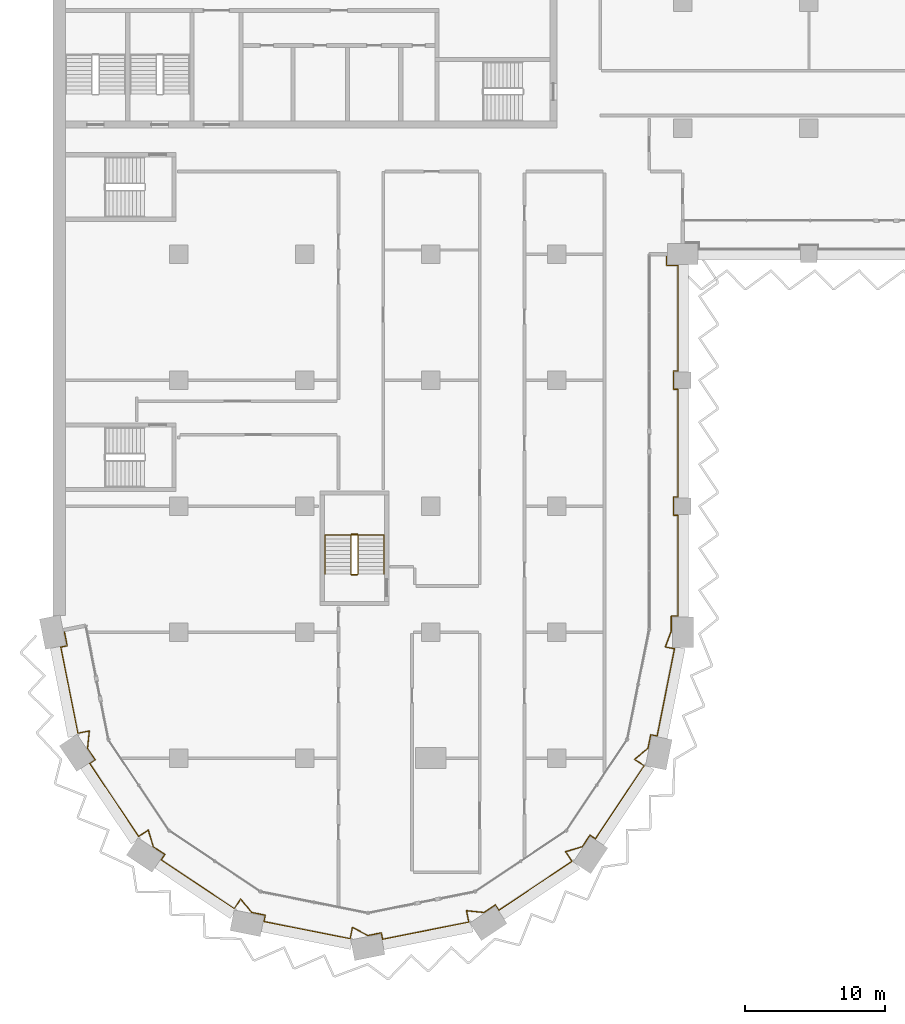
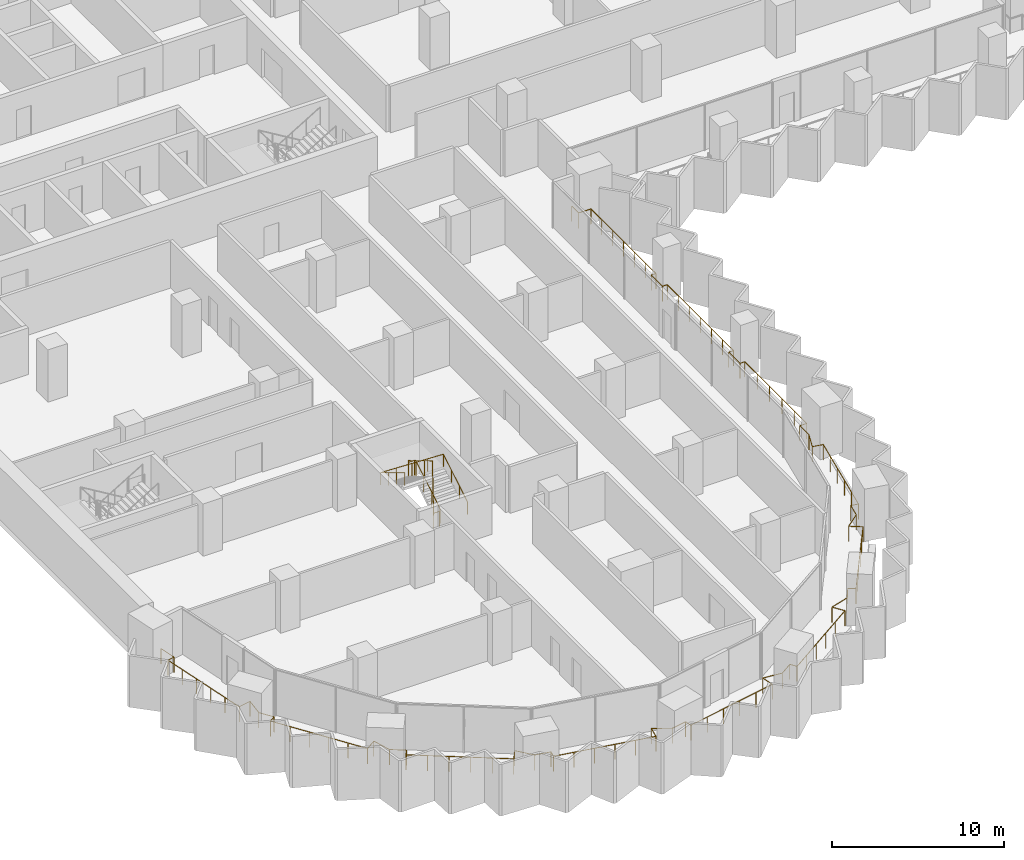
# One storey, part 20 of 23: 3 railings.
"""IFC4 building model written with IfcOpenShell, lengths in metres."""

from ifc_helpers import new_model, si_unit, direction, frame, origin, origin_2d, place, context, subcontext, project, spatial, circle, extrude, material, type_object, element, save


model = new_model("IFC4")

# Units and contexts
model_context = context("Model", 3, precision=1e-05, world=origin(), true_north=direction((0.0, 1.0)))
body_context = subcontext(model_context, "Body", "Model", "MODEL_VIEW")
ifc_project = project(units=[si_unit("LENGTHUNIT", "METRE"), si_unit("AREAUNIT", "SQUARE_METRE"), si_unit("VOLUMEUNIT", "CUBIC_METRE"), si_unit("PLANEANGLEUNIT", "RADIAN"), si_unit("MASSUNIT", "GRAM", prefix="KILO")], contexts=[model_context])

# Site, building, storey
site_placement = place(None, origin())
site = spatial("IfcSite", under=ifc_project, at=site_placement, CompositionType="ELEMENT")
building_placement = place(site_placement, origin())
building = spatial("IfcBuilding", under=site, at=building_placement, Name="Hunhe Ridgeline Campus", CompositionType="ELEMENT")
storey_placement = place(building_placement, frame((0.0, 0.0, 121.800048828125)))
storey = spatial("IfcBuildingStorey", under=building, at=storey_placement, Name="L30", CompositionType="ELEMENT", Elevation=121.800048828125)

# Railings
ifc_material_1 = material(Name="Steel Q355", Category="steel")
railing_type_1 = type_object("IfcRailingType", Name="Loggia guard 1100 Steel Q355", PredefinedType="GUARDRAIL", material=ifc_material_1)
railing_1_placement = place(storey_placement, frame((0.80419921875, 27.159912109375, 0.0)))
element("IfcRailing", 1, at=railing_1_placement, inside=storey, type_object=railing_type_1, Name="Loggia guard 1", PredefinedType="GUARDRAIL", context=body_context, shape_type="SweptSolid", body=[
    extrude(circle(Radius=0.02392578125, at=origin_2d()), frame((0.0, 0.0, 1.076171875), z_axis=(0.195095399255, -0.980784270464, 0.0), x_axis=(0.980784270464, 0.195095399255, 0.0)), (0.0, 0.0, 1.0), 1.150146484375),
    extrude(circle(Radius=0.02392578125, at=origin_2d()), frame((0.224365234375, -1.1279296875, 1.076171875), z_axis=(-0.980839571814, -0.194817181902, 0.0), x_axis=(0.194817181902, -0.980839571814, 0.0)), (0.0, 0.0, 1.0), 0.469970703125),
    extrude(circle(Radius=0.02392578125, at=origin_2d()), frame((-0.236572265625, -1.219482421875, 1.076171875), z_axis=(0.195091122585, -0.98078512116, 0.0), x_axis=(0.98078512116, 0.195091122585, 0.0)), (0.0, 0.0, 1.0), 6.27587890625),
    extrude(circle(Radius=0.02392578125, at=origin_2d()), frame((0.98779296875, -7.374755859375, 1.076171875), z_axis=(0.980805242724, 0.194989937807, 0.0), x_axis=(-0.194989937807, 0.980805242724, 0.0)), (0.0, 0.0, 1.0), 0.833984375),
    extrude(circle(Radius=0.02392578125, at=origin_2d()), frame((1.8056640625, -7.212158203125, 1.076171875), z_axis=(-0.10024174874, -0.994963110778, 0.0), x_axis=(0.994963110778, -0.10024174874, 0.0)), (0.0, 0.0, 1.0), 1.24462890625),
    extrude(circle(Radius=0.02392578125, at=origin_2d()), frame((1.680908203125, -8.450439453125, 1.076171875), z_axis=(0.555613261421, -0.831440860034, 0.0), x_axis=(0.831440860034, 0.555613261421, 0.0)), (0.0, 0.0, 1.0), 0.98681640625),
    extrude(circle(Radius=0.02392578125, at=origin_2d()), frame((2.229248046875, -9.27099609375, 1.076171875), z_axis=(-0.831650496226, -0.55529942565, 0.0), x_axis=(0.55529942565, -0.831650496226, 0.0)), (0.0, 0.0, 1.0), 0.469970703125),
    extrude(circle(Radius=0.02392578125, at=origin_2d()), frame((1.83837890625, -9.531982421875, 1.076171875), z_axis=(0.55555274607, -0.831481296443, 0.0), x_axis=(0.831481296443, 0.55555274607, 0.0)), (0.0, 0.0, 1.0), 6.27587890625),
    extrude(circle(Radius=0.02392578125, at=origin_2d()), frame((5.324951171875, -14.750244140625, 1.076171875), z_axis=(0.831419211319, 0.555645656016, 0.0), x_axis=(-0.555645656016, 0.831419211319, 0.0)), (0.0, 0.0, 1.0), 0.833984375),
    extrude(circle(Radius=0.02392578125, at=origin_2d()), frame((6.018310546875, -14.286865234375, 1.076171875), z_axis=(0.288373576958, -0.957517979002, 0.0), x_axis=(0.957517979002, 0.288373576958, 0.0)), (0.0, 0.0, 1.0), 1.24462890625),
    extrude(circle(Radius=0.02392578125, at=origin_2d()), frame((6.377197265625, -15.478515625, 1.076171875), z_axis=(0.831440860034, -0.555613261421, 0.0), x_axis=(0.555613261421, 0.831440860034, 0.0)), (0.0, 0.0, 1.0), 0.98681640625),
    extrude(circle(Radius=0.02392578125, at=origin_2d()), frame((7.19775390625, -16.02685546875, 1.076171875), z_axis=(-0.555658548717, -0.831410594856, 0.0), x_axis=(0.831410594856, -0.555658548717, 0.0)), (0.0, 0.0, 1.0), 0.47021484375),
    extrude(circle(Radius=0.02392578125, at=origin_2d()), frame((6.9365234375, -16.417724609375, 1.076171875), z_axis=(0.831469289337, -0.555570716372, 0.0), x_axis=(0.555570716372, 0.831469289337, 0.0)), (0.0, 0.0, 1.0), 6.275634765625),
    extrude(circle(Radius=0.02392578125, at=origin_2d()), frame((12.154541015625, -19.904296875, 1.076171875), z_axis=(0.555645656016, 0.831419211319, 0.0), x_axis=(-0.831419211319, 0.555645656016, 0.0)), (0.0, 0.0, 1.0), 0.833984375),
    extrude(circle(Radius=0.02392578125, at=origin_2d()), frame((12.617919921875, -19.2109375, 1.076171875), z_axis=(0.632628709191, -0.774455238414, 0.0), x_axis=(0.774455238414, 0.632628709191, 0.0)), (0.0, 0.0, 1.0), 1.24462890625),
    extrude(circle(Radius=0.02392578125, at=origin_2d()), frame((13.4052734375, -20.1748046875, 1.076171875), z_axis=(0.980770488785, -0.195164669773, 0.0), x_axis=(0.195164669773, 0.980770488785, 0.0)), (0.0, 0.0, 1.0), 0.987060546875),
    extrude(circle(Radius=0.02392578125, at=origin_2d()), frame((14.373291015625, -20.367431640625, 1.076171875), z_axis=(-0.195316901017, -0.980740183829, 0.0), x_axis=(0.980740183829, -0.195316901017, 0.0)), (0.0, 0.0, 1.0), 0.469970703125),
    extrude(circle(Radius=0.02392578125, at=origin_2d()), frame((14.281494140625, -20.828369140625, 1.076171875), z_axis=(0.98078512116, -0.195091122585, 0.0), x_axis=(0.195091122585, 0.98078512116, 0.0)), (0.0, 0.0, 1.0), 6.27587890625),
    extrude(circle(Radius=0.02392578125, at=origin_2d()), frame((20.436767578125, -22.052734375, 1.076171875), z_axis=(0.194989937807, 0.980805242724, 0.0), x_axis=(-0.980805242724, 0.194989937807, 0.0)), (0.0, 0.0, 1.0), 0.833984375),
    extrude(circle(Radius=0.02392578125, at=origin_2d()), frame((20.599365234375, -21.23486328125, 1.076171875), z_axis=(0.880980801229, -0.473152013486, 0.0), x_axis=(0.473152013486, 0.880980801229, 0.0)), (0.0, 0.0, 1.0), 1.24462890625),
    extrude(circle(Radius=0.02392578125, at=origin_2d()), frame((21.69580078125, -21.82373046875, 1.076171875), z_axis=(0.98081780924, 0.194926717196, 0.0), x_axis=(-0.194926717196, 0.98081780924, 0.0)), (0.0, 0.0, 1.0), 0.987060546875),
    extrude(circle(Radius=0.02392578125, at=origin_2d()), frame((22.663818359375, -21.63134765625, 1.076171875), z_axis=(0.194817181902, -0.980839571814, 0.0), x_axis=(0.980839571814, 0.194817181902, 0.0)), (0.0, 0.0, 1.0), 0.469970703125),
    extrude(circle(Radius=0.02392578125, at=origin_2d()), frame((22.75537109375, -22.09228515625, 1.076171875), z_axis=(0.98078512116, 0.195091122585, 0.0), x_axis=(-0.195091122585, 0.98078512116, 0.0)), (0.0, 0.0, 1.0), 6.27587890625),
    extrude(circle(Radius=0.02392578125, at=origin_2d()), frame((28.91064453125, -20.867919921875, 1.076171875), z_axis=(-0.194989937807, 0.980805242724, 0.0), x_axis=(-0.980805242724, -0.194989937807, 0.0)), (0.0, 0.0, 1.0), 0.833984375),
    extrude(circle(Radius=0.02392578125, at=origin_2d()), frame((28.748046875, -20.050048828125, 1.076171875), z_axis=(0.994963110778, -0.10024174874, 0.0), x_axis=(0.10024174874, 0.994963110778, 0.0)), (0.0, 0.0, 1.0), 1.24462890625),
    extrude(circle(Radius=0.02392578125, at=origin_2d()), frame((29.986328125, -20.1748046875, 1.076171875), z_axis=(0.831440860034, 0.555613261421, 0.0), x_axis=(-0.555613261421, 0.831440860034, 0.0)), (0.0, 0.0, 1.0), 0.98681640625),
    extrude(circle(Radius=0.02392578125, at=origin_2d()), frame((30.806884765625, -19.62646484375, 1.076171875), z_axis=(0.55529942565, -0.831650496226, 0.0), x_axis=(0.831650496226, 0.55529942565, 0.0)), (0.0, 0.0, 1.0), 0.469970703125),
    extrude(circle(Radius=0.02392578125, at=origin_2d()), frame((31.06787109375, -20.017333984375, 1.076171875), z_axis=(0.831481296443, 0.55555274607, 0.0), x_axis=(-0.55555274607, 0.831481296443, 0.0)), (0.0, 0.0, 1.0), 6.27587890625),
    extrude(circle(Radius=0.02392578125, at=origin_2d()), frame((36.2861328125, -16.53076171875, 1.076171875), z_axis=(-0.555645656016, 0.831419211319, 0.0), x_axis=(-0.831419211319, -0.555645656016, 0.0)), (0.0, 0.0, 1.0), 0.833984375),
    extrude(circle(Radius=0.02392578125, at=origin_2d()), frame((35.82275390625, -15.83740234375, 1.076171875), z_axis=(0.957517979002, 0.288373576958, 0.0), x_axis=(-0.288373576958, 0.957517979002, 0.0)), (0.0, 0.0, 1.0), 1.24462890625),
    extrude(circle(Radius=0.02392578125, at=origin_2d()), frame((37.014404296875, -15.478515625, 1.076171875), z_axis=(0.555613261421, 0.831440860034, 0.0), x_axis=(-0.831440860034, 0.555613261421, 0.0)), (0.0, 0.0, 1.0), 0.98681640625),
    extrude(circle(Radius=0.02392578125, at=origin_2d()), frame((37.562744140625, -14.657958984375, 1.076171875), z_axis=(0.831410594856, -0.555658548717, 0.0), x_axis=(0.555658548717, 0.831410594856, 0.0)), (0.0, 0.0, 1.0), 0.47021484375),
    extrude(circle(Radius=0.02392578125, at=origin_2d()), frame((37.95361328125, -14.919189453125, 1.076171875), z_axis=(0.555570716372, 0.831469289337, 0.0), x_axis=(-0.831469289337, 0.555570716372, 0.0)), (0.0, 0.0, 1.0), 6.275634765625),
    extrude(circle(Radius=0.02392578125, at=origin_2d()), frame((41.440185546875, -9.701171875, 1.076171875), z_axis=(-0.831419211319, 0.555645656016, 0.0), x_axis=(-0.555645656016, -0.831419211319, 0.0)), (0.0, 0.0, 1.0), 0.833984375),
    extrude(circle(Radius=0.02392578125, at=origin_2d()), frame((40.746826171875, -9.23779296875, 1.076171875), z_axis=(0.774455238414, 0.632628709191, 0.0), x_axis=(-0.632628709191, 0.774455238414, 0.0)), (0.0, 0.0, 1.0), 1.24462890625),
    extrude(circle(Radius=0.02392578125, at=origin_2d()), frame((41.710693359375, -8.450439453125, 1.076171875), z_axis=(0.195164669773, 0.980770488785, 0.0), x_axis=(-0.980770488785, 0.195164669773, 0.0)), (0.0, 0.0, 1.0), 0.987060546875),
    extrude(circle(Radius=0.02392578125, at=origin_2d()), frame((41.9033203125, -7.482421875, 1.076171875), z_axis=(0.980740183829, -0.195316901017, 0.0), x_axis=(0.195316901017, 0.980740183829, 0.0)), (0.0, 0.0, 1.0), 0.469970703125),
    extrude(circle(Radius=0.02392578125, at=origin_2d()), frame((42.3642578125, -7.57421875, 1.076171875), z_axis=(0.195074166836, 0.98078849373, 0.0), x_axis=(-0.98078849373, 0.195074166836, 0.0)), (0.0, 0.0, 1.0), 6.35400390625),
    extrude(circle(Radius=0.02392578125, at=origin_2d()), frame((43.603759765625, -1.34228515625, 1.076171875), z_axis=(-0.980818178173, 0.194924860818, 0.0), x_axis=(-0.194924860818, -0.980818178173, 0.0)), (0.0, 0.0, 1.0), 0.670166015625),
    extrude(circle(Radius=0.02392578125, at=origin_2d()), frame((42.946533203125, -1.211669921875, 1.076171875), z_axis=(0.354368618256, 0.935105813475, 0.0), x_axis=(-0.935105813475, 0.354368618256, 0.0)), (0.0, 0.0, 1.0), 1.211181640625),
    extrude(circle(Radius=0.02392578125, at=origin_2d()), frame((43.375732421875, -0.0791015625, 1.076171875), z_axis=(0.0, 1.0, 0.0), x_axis=(-1.0, 0.0, 0.0)), (0.0, 0.0, 1.0), 1.069091796875),
    extrude(circle(Radius=0.02392578125, at=origin_2d()), frame((43.375732421875, 0.989990234375, 1.076171875), z_axis=(1.0, 0.0, 0.0), x_axis=(0.0, 1.0, 0.0)), (0.0, 0.0, 1.0), 0.469970703125),
    extrude(circle(Radius=0.02392578125, at=origin_2d()), frame((43.845703125, 0.989990234375, 1.076171875), z_axis=(0.0, 1.0, 0.0), x_axis=(-1.0, 0.0, 0.0)), (0.0, 0.0, 1.0), 7.2001953125),
    extrude(circle(Radius=0.02392578125, at=origin_2d()), frame((43.845703125, 8.190185546875, 1.076171875), z_axis=(-1.0, 0.0, 0.0), x_axis=(0.0, -1.0, 0.0)), (0.0, 0.0, 1.0), 0.31982421875),
    extrude(circle(Radius=0.02392578125, at=origin_2d()), frame((43.52587890625, 8.190185546875, 1.076171875), z_axis=(0.0, 1.0, 0.0), x_axis=(-1.0, 0.0, 0.0)), (0.0, 0.0, 1.0), 1.2998046875),
    extrude(circle(Radius=0.02392578125, at=origin_2d()), frame((43.52587890625, 9.489990234375, 1.076171875), z_axis=(1.0, 0.0, 0.0), x_axis=(0.0, 1.0, 0.0)), (0.0, 0.0, 1.0), 0.31982421875),
    extrude(circle(Radius=0.02392578125, at=origin_2d()), frame((43.845703125, 9.489990234375, 1.076171875), z_axis=(0.0, 1.0, 0.0), x_axis=(-1.0, 0.0, 0.0)), (0.0, 0.0, 1.0), 7.7001953125),
    extrude(circle(Radius=0.02392578125, at=origin_2d()), frame((43.845703125, 17.190185546875, 1.076171875), z_axis=(-1.0, 0.0, 0.0), x_axis=(0.0, -1.0, 0.0)), (0.0, 0.0, 1.0), 0.31982421875),
    extrude(circle(Radius=0.02392578125, at=origin_2d()), frame((43.52587890625, 17.190185546875, 1.076171875), z_axis=(0.0, 1.0, 0.0), x_axis=(-1.0, 0.0, 0.0)), (0.0, 0.0, 1.0), 1.2998046875),
    extrude(circle(Radius=0.02392578125, at=origin_2d()), frame((43.52587890625, 18.489990234375, 1.076171875), z_axis=(1.0, 0.0, 0.0), x_axis=(0.0, 1.0, 0.0)), (0.0, 0.0, 1.0), 0.31982421875),
    extrude(circle(Radius=0.02392578125, at=origin_2d()), frame((43.845703125, 18.489990234375, 1.076171875), z_axis=(0.0, 1.0, 0.0), x_axis=(-1.0, 0.0, 0.0)), (0.0, 0.0, 1.0), 7.550048828125),
    extrude(circle(Radius=0.02392578125, at=origin_2d()), frame((43.845703125, 26.0400390625, 1.076171875), z_axis=(-1.0, 0.0, 0.0), x_axis=(0.0, -1.0, 0.0)), (0.0, 0.0, 1.0), 0.81982421875),
    extrude(circle(Radius=0.02392578125, at=origin_2d()), frame((43.02587890625, 26.0400390625, 1.076171875), z_axis=(0.0, 1.0, 0.0), x_axis=(-1.0, 0.0, 0.0)), (0.0, 0.0, 1.0), 0.800048828125),
    extrude(circle(Radius=0.02099609375, at=origin_2d()), origin(), (0.0, 0.0, 1.0), 1.052001953125),
    extrude(circle(Radius=0.02099609375, at=origin_2d()), frame((0.224365234375, -1.1279296875, 0.0)), (0.0, 0.0, 1.0), 1.052001953125),
    extrude(circle(Radius=0.02099609375, at=origin_2d()), frame((-0.236572265625, -1.219482421875, 0.0)), (0.0, 0.0, 1.0), 1.052001953125),
    extrude(circle(Radius=0.02099609375, at=origin_2d()), frame((0.00830078125, -2.450439453125, 0.0)), (0.0, 0.0, 1.0), 1.052001953125),
    extrude(circle(Radius=0.02099609375, at=origin_2d()), frame((0.253173828125, -3.681640625, 0.0)), (0.0, 0.0, 1.0), 1.052001953125),
    extrude(circle(Radius=0.02099609375, at=origin_2d()), frame((0.498046875, -4.91259765625, 0.0)), (0.0, 0.0, 1.0), 1.052001953125),
    extrude(circle(Radius=0.02099609375, at=origin_2d()), frame((0.742919921875, -6.143798828125, 0.0)), (0.0, 0.0, 1.0), 1.052001953125),
    extrude(circle(Radius=0.02099609375, at=origin_2d()), frame((0.98779296875, -7.374755859375, 0.0)), (0.0, 0.0, 1.0), 1.052001953125),
    extrude(circle(Radius=0.02099609375, at=origin_2d()), frame((1.8056640625, -7.212158203125, 0.0)), (0.0, 0.0, 1.0), 1.052001953125),
    extrude(circle(Radius=0.02099609375, at=origin_2d()), frame((1.680908203125, -8.450439453125, 0.0)), (0.0, 0.0, 1.0), 1.052001953125),
    extrude(circle(Radius=0.02099609375, at=origin_2d()), frame((2.229248046875, -9.27099609375, 0.0)), (0.0, 0.0, 1.0), 1.052001953125),
    extrude(circle(Radius=0.02099609375, at=origin_2d()), frame((1.83837890625, -9.531982421875, 0.0)), (0.0, 0.0, 1.0), 1.052001953125),
    extrude(circle(Radius=0.02099609375, at=origin_2d()), frame((2.53564453125, -10.57568359375, 0.0)), (0.0, 0.0, 1.0), 1.052001953125),
    extrude(circle(Radius=0.02099609375, at=origin_2d()), frame((3.23291015625, -11.619384765625, 0.0)), (0.0, 0.0, 1.0), 1.052001953125),
    extrude(circle(Radius=0.02099609375, at=origin_2d()), frame((3.930419921875, -12.662841796875, 0.0)), (0.0, 0.0, 1.0), 1.052001953125),
    extrude(circle(Radius=0.02099609375, at=origin_2d()), frame((4.627685546875, -13.70654296875, 0.0)), (0.0, 0.0, 1.0), 1.052001953125),
    extrude(circle(Radius=0.02099609375, at=origin_2d()), frame((5.324951171875, -14.750244140625, 0.0)), (0.0, 0.0, 1.0), 1.052001953125),
    extrude(circle(Radius=0.02099609375, at=origin_2d()), frame((6.018310546875, -14.286865234375, 0.0)), (0.0, 0.0, 1.0), 1.052001953125),
    extrude(circle(Radius=0.02099609375, at=origin_2d()), frame((6.377197265625, -15.478515625, 0.0)), (0.0, 0.0, 1.0), 1.052001953125),
    extrude(circle(Radius=0.02099609375, at=origin_2d()), frame((7.19775390625, -16.02685546875, 0.0)), (0.0, 0.0, 1.0), 1.052001953125),
    extrude(circle(Radius=0.02099609375, at=origin_2d()), frame((6.9365234375, -16.417724609375, 0.0)), (0.0, 0.0, 1.0), 1.052001953125),
    extrude(circle(Radius=0.02099609375, at=origin_2d()), frame((7.980224609375, -17.114990234375, 0.0)), (0.0, 0.0, 1.0), 1.052001953125),
    extrude(circle(Radius=0.02099609375, at=origin_2d()), frame((9.023681640625, -17.812255859375, 0.0)), (0.0, 0.0, 1.0), 1.052001953125),
    extrude(circle(Radius=0.02099609375, at=origin_2d()), frame((10.0673828125, -18.509765625, 0.0)), (0.0, 0.0, 1.0), 1.052001953125),
    extrude(circle(Radius=0.02099609375, at=origin_2d()), frame((11.11083984375, -19.20703125, 0.0)), (0.0, 0.0, 1.0), 1.052001953125),
    extrude(circle(Radius=0.02099609375, at=origin_2d()), frame((12.154541015625, -19.904296875, 0.0)), (0.0, 0.0, 1.0), 1.052001953125),
    extrude(circle(Radius=0.02099609375, at=origin_2d()), frame((12.617919921875, -19.2109375, 0.0)), (0.0, 0.0, 1.0), 1.052001953125),
    extrude(circle(Radius=0.02099609375, at=origin_2d()), frame((13.4052734375, -20.1748046875, 0.0)), (0.0, 0.0, 1.0), 1.052001953125),
    extrude(circle(Radius=0.02099609375, at=origin_2d()), frame((14.373291015625, -20.367431640625, 0.0)), (0.0, 0.0, 1.0), 1.052001953125),
    extrude(circle(Radius=0.02099609375, at=origin_2d()), frame((14.281494140625, -20.828369140625, 0.0)), (0.0, 0.0, 1.0), 1.052001953125),
    extrude(circle(Radius=0.02099609375, at=origin_2d()), frame((15.512451171875, -21.0732421875, 0.0)), (0.0, 0.0, 1.0), 1.052001953125),
    extrude(circle(Radius=0.02099609375, at=origin_2d()), frame((16.74365234375, -21.318115234375, 0.0)), (0.0, 0.0, 1.0), 1.052001953125),
    extrude(circle(Radius=0.02099609375, at=origin_2d()), frame((17.974609375, -21.56298828125, 0.0)), (0.0, 0.0, 1.0), 1.052001953125),
    extrude(circle(Radius=0.02099609375, at=origin_2d()), frame((19.205810546875, -21.807861328125, 0.0)), (0.0, 0.0, 1.0), 1.052001953125),
    extrude(circle(Radius=0.02099609375, at=origin_2d()), frame((20.436767578125, -22.052734375, 0.0)), (0.0, 0.0, 1.0), 1.052001953125),
    extrude(circle(Radius=0.02099609375, at=origin_2d()), frame((20.599365234375, -21.23486328125, 0.0)), (0.0, 0.0, 1.0), 1.052001953125),
    extrude(circle(Radius=0.02099609375, at=origin_2d()), frame((21.69580078125, -21.82373046875, 0.0)), (0.0, 0.0, 1.0), 1.052001953125),
    extrude(circle(Radius=0.02099609375, at=origin_2d()), frame((22.663818359375, -21.63134765625, 0.0)), (0.0, 0.0, 1.0), 1.052001953125),
    extrude(circle(Radius=0.02099609375, at=origin_2d()), frame((22.75537109375, -22.09228515625, 0.0)), (0.0, 0.0, 1.0), 1.052001953125),
    extrude(circle(Radius=0.02099609375, at=origin_2d()), frame((23.986328125, -21.847412109375, 0.0)), (0.0, 0.0, 1.0), 1.052001953125),
    extrude(circle(Radius=0.02099609375, at=origin_2d()), frame((25.217529296875, -21.6025390625, 0.0)), (0.0, 0.0, 1.0), 1.052001953125),
    extrude(circle(Radius=0.02099609375, at=origin_2d()), frame((26.448486328125, -21.357666015625, 0.0)), (0.0, 0.0, 1.0), 1.052001953125),
    extrude(circle(Radius=0.02099609375, at=origin_2d()), frame((27.6796875, -21.11279296875, 0.0)), (0.0, 0.0, 1.0), 1.052001953125),
    extrude(circle(Radius=0.02099609375, at=origin_2d()), frame((28.91064453125, -20.867919921875, 0.0)), (0.0, 0.0, 1.0), 1.052001953125),
    extrude(circle(Radius=0.02099609375, at=origin_2d()), frame((28.748046875, -20.050048828125, 0.0)), (0.0, 0.0, 1.0), 1.052001953125),
    extrude(circle(Radius=0.02099609375, at=origin_2d()), frame((29.986328125, -20.1748046875, 0.0)), (0.0, 0.0, 1.0), 1.052001953125),
    extrude(circle(Radius=0.02099609375, at=origin_2d()), frame((30.806884765625, -19.62646484375, 0.0)), (0.0, 0.0, 1.0), 1.052001953125),
    extrude(circle(Radius=0.02099609375, at=origin_2d()), frame((31.06787109375, -20.017333984375, 0.0)), (0.0, 0.0, 1.0), 1.052001953125),
    extrude(circle(Radius=0.02099609375, at=origin_2d()), frame((32.111572265625, -19.320068359375, 0.0)), (0.0, 0.0, 1.0), 1.052001953125),
    extrude(circle(Radius=0.02099609375, at=origin_2d()), frame((33.1552734375, -18.622802734375, 0.0)), (0.0, 0.0, 1.0), 1.052001953125),
    extrude(circle(Radius=0.02099609375, at=origin_2d()), frame((34.19873046875, -17.92529296875, 0.0)), (0.0, 0.0, 1.0), 1.052001953125),
    extrude(circle(Radius=0.02099609375, at=origin_2d()), frame((35.242431640625, -17.22802734375, 0.0)), (0.0, 0.0, 1.0), 1.052001953125),
    extrude(circle(Radius=0.02099609375, at=origin_2d()), frame((36.2861328125, -16.53076171875, 0.0)), (0.0, 0.0, 1.0), 1.052001953125),
    extrude(circle(Radius=0.02099609375, at=origin_2d()), frame((35.82275390625, -15.83740234375, 0.0)), (0.0, 0.0, 1.0), 1.052001953125),
    extrude(circle(Radius=0.02099609375, at=origin_2d()), frame((37.014404296875, -15.478515625, 0.0)), (0.0, 0.0, 1.0), 1.052001953125),
    extrude(circle(Radius=0.02099609375, at=origin_2d()), frame((37.562744140625, -14.657958984375, 0.0)), (0.0, 0.0, 1.0), 1.052001953125),
    extrude(circle(Radius=0.02099609375, at=origin_2d()), frame((37.95361328125, -14.919189453125, 0.0)), (0.0, 0.0, 1.0), 1.052001953125),
    extrude(circle(Radius=0.02099609375, at=origin_2d()), frame((38.65087890625, -13.87548828125, 0.0)), (0.0, 0.0, 1.0), 1.052001953125),
    extrude(circle(Radius=0.02099609375, at=origin_2d()), frame((39.34814453125, -12.83203125, 0.0)), (0.0, 0.0, 1.0), 1.052001953125),
    extrude(circle(Radius=0.02099609375, at=origin_2d()), frame((40.045654296875, -11.788330078125, 0.0)), (0.0, 0.0, 1.0), 1.052001953125),
    extrude(circle(Radius=0.02099609375, at=origin_2d()), frame((40.742919921875, -10.744873046875, 0.0)), (0.0, 0.0, 1.0), 1.052001953125),
    extrude(circle(Radius=0.02099609375, at=origin_2d()), frame((41.440185546875, -9.701171875, 0.0)), (0.0, 0.0, 1.0), 1.052001953125),
    extrude(circle(Radius=0.02099609375, at=origin_2d()), frame((40.746826171875, -9.23779296875, 0.0)), (0.0, 0.0, 1.0), 1.052001953125),
    extrude(circle(Radius=0.02099609375, at=origin_2d()), frame((41.710693359375, -8.450439453125, 0.0)), (0.0, 0.0, 1.0), 1.052001953125),
    extrude(circle(Radius=0.02099609375, at=origin_2d()), frame((41.9033203125, -7.482421875, 0.0)), (0.0, 0.0, 1.0), 1.052001953125),
    extrude(circle(Radius=0.02099609375, at=origin_2d()), frame((42.3642578125, -7.57421875, 0.0)), (0.0, 0.0, 1.0), 1.052001953125),
    extrude(circle(Radius=0.02099609375, at=origin_2d()), frame((42.612060546875, -6.327880859375, 0.0)), (0.0, 0.0, 1.0), 1.052001953125),
    extrude(circle(Radius=0.02099609375, at=origin_2d()), frame((42.860107421875, -5.08154296875, 0.0)), (0.0, 0.0, 1.0), 1.052001953125),
    extrude(circle(Radius=0.02099609375, at=origin_2d()), frame((43.10791015625, -3.8349609375, 0.0)), (0.0, 0.0, 1.0), 1.052001953125),
    extrude(circle(Radius=0.02099609375, at=origin_2d()), frame((43.35595703125, -2.588623046875, 0.0)), (0.0, 0.0, 1.0), 1.052001953125),
    extrude(circle(Radius=0.02099609375, at=origin_2d()), frame((43.603759765625, -1.34228515625, 0.0)), (0.0, 0.0, 1.0), 1.052001953125),
    extrude(circle(Radius=0.02099609375, at=origin_2d()), frame((42.946533203125, -1.211669921875, 0.0)), (0.0, 0.0, 1.0), 1.052001953125),
    extrude(circle(Radius=0.02099609375, at=origin_2d()), frame((43.375732421875, -0.0791015625, 0.0)), (0.0, 0.0, 1.0), 1.052001953125),
    extrude(circle(Radius=0.02099609375, at=origin_2d()), frame((43.375732421875, 0.989990234375, 0.0)), (0.0, 0.0, 1.0), 1.052001953125),
    extrude(circle(Radius=0.02099609375, at=origin_2d()), frame((43.845703125, 0.989990234375, 0.0)), (0.0, 0.0, 1.0), 1.052001953125),
    extrude(circle(Radius=0.02099609375, at=origin_2d()), frame((43.845703125, 2.429931640625, 0.0)), (0.0, 0.0, 1.0), 1.052001953125),
    extrude(circle(Radius=0.02099609375, at=origin_2d()), frame((43.845703125, 3.8701171875, 0.0)), (0.0, 0.0, 1.0), 1.052001953125),
    extrude(circle(Radius=0.02099609375, at=origin_2d()), frame((43.845703125, 5.31005859375, 0.0)), (0.0, 0.0, 1.0), 1.052001953125),
    extrude(circle(Radius=0.02099609375, at=origin_2d()), frame((43.845703125, 6.750244140625, 0.0)), (0.0, 0.0, 1.0), 1.052001953125),
    extrude(circle(Radius=0.02099609375, at=origin_2d()), frame((43.845703125, 8.190185546875, 0.0)), (0.0, 0.0, 1.0), 1.052001953125),
    extrude(circle(Radius=0.02099609375, at=origin_2d()), frame((43.52587890625, 8.190185546875, 0.0)), (0.0, 0.0, 1.0), 1.052001953125),
    extrude(circle(Radius=0.02099609375, at=origin_2d()), frame((43.52587890625, 9.489990234375, 0.0)), (0.0, 0.0, 1.0), 1.052001953125),
    extrude(circle(Radius=0.02099609375, at=origin_2d()), frame((43.845703125, 9.489990234375, 0.0)), (0.0, 0.0, 1.0), 1.052001953125),
    extrude(circle(Radius=0.02099609375, at=origin_2d()), frame((43.845703125, 10.7734375, 0.0)), (0.0, 0.0, 1.0), 1.052001953125),
    extrude(circle(Radius=0.02099609375, at=origin_2d()), frame((43.845703125, 12.056640625, 0.0)), (0.0, 0.0, 1.0), 1.052001953125),
    extrude(circle(Radius=0.02099609375, at=origin_2d()), frame((43.845703125, 13.340087890625, 0.0)), (0.0, 0.0, 1.0), 1.052001953125),
    extrude(circle(Radius=0.02099609375, at=origin_2d()), frame((43.845703125, 14.62353515625, 0.0)), (0.0, 0.0, 1.0), 1.052001953125),
    extrude(circle(Radius=0.02099609375, at=origin_2d()), frame((43.845703125, 15.90673828125, 0.0)), (0.0, 0.0, 1.0), 1.052001953125),
    extrude(circle(Radius=0.02099609375, at=origin_2d()), frame((43.845703125, 17.190185546875, 0.0)), (0.0, 0.0, 1.0), 1.052001953125),
    extrude(circle(Radius=0.02099609375, at=origin_2d()), frame((43.52587890625, 17.190185546875, 0.0)), (0.0, 0.0, 1.0), 1.052001953125),
    extrude(circle(Radius=0.02099609375, at=origin_2d()), frame((43.52587890625, 18.489990234375, 0.0)), (0.0, 0.0, 1.0), 1.052001953125),
    extrude(circle(Radius=0.02099609375, at=origin_2d()), frame((43.845703125, 18.489990234375, 0.0)), (0.0, 0.0, 1.0), 1.052001953125),
    extrude(circle(Radius=0.02099609375, at=origin_2d()), frame((43.845703125, 19.748291015625, 0.0)), (0.0, 0.0, 1.0), 1.052001953125),
    extrude(circle(Radius=0.02099609375, at=origin_2d()), frame((43.845703125, 21.006591796875, 0.0)), (0.0, 0.0, 1.0), 1.052001953125),
    extrude(circle(Radius=0.02099609375, at=origin_2d()), frame((43.845703125, 22.26513671875, 0.0)), (0.0, 0.0, 1.0), 1.052001953125),
    extrude(circle(Radius=0.02099609375, at=origin_2d()), frame((43.845703125, 23.5234375, 0.0)), (0.0, 0.0, 1.0), 1.052001953125),
    extrude(circle(Radius=0.02099609375, at=origin_2d()), frame((43.845703125, 24.78173828125, 0.0)), (0.0, 0.0, 1.0), 1.052001953125),
    extrude(circle(Radius=0.02099609375, at=origin_2d()), frame((43.845703125, 26.0400390625, 0.0)), (0.0, 0.0, 1.0), 1.052001953125),
    extrude(circle(Radius=0.02099609375, at=origin_2d()), frame((43.02587890625, 26.0400390625, 0.0)), (0.0, 0.0, 1.0), 1.052001953125),
    extrude(circle(Radius=0.02099609375, at=origin_2d()), frame((43.02587890625, 26.840087890625, 0.0)), (0.0, 0.0, 1.0), 1.052001953125),
])
ifc_material_2 = material(Name="Stainless steel balustrade", Category="steel")
railing_type_2 = type_object("IfcRailingType", Name="Stair guard 1100 stainless", PredefinedType="GUARDRAIL", material=ifc_material_2)
railing_2_placement = place(storey_placement, frame((21.800048828125, 31.14990234375, 0.168212890625)))
element("IfcRailing", 2, at=railing_2_placement, inside=storey, type_object=railing_type_2, Name="L30 stair W3 guard", PredefinedType="GUARDRAIL", context=body_context, shape_type="SweptSolid", body=[
    extrude(circle(Radius=0.02392578125, at=origin_2d()), frame((0.0, 0.0, 1.076171875), z_axis=(0.0, 0.857275202839, 0.514858452973), x_axis=(-1.0, 0.0, 0.0)), (0.0, 0.0, 1.0), 3.26611328125),
    extrude(circle(Radius=0.02392578125, at=origin_2d()), frame((0.0, 2.800048828125, 2.7578125), z_axis=(-0.707106781187, 0.707106781187, 0.0), x_axis=(-0.707106781187, -0.707106781187, 0.0)), (0.0, 0.0, 1.0), 0.07080078125),
    extrude(circle(Radius=0.02392578125, at=origin_2d()), frame((-0.050048828125, 2.85009765625, 2.7578125), z_axis=(-1.0, 0.0, 0.0), x_axis=(0.0, -1.0, 0.0)), (0.0, 0.0, 1.0), 0.39990234375),
    extrude(circle(Radius=0.02392578125, at=origin_2d()), frame((-0.449951171875, 2.85009765625, 2.7578125), z_axis=(-0.274243871929, -0.274243871929, 0.92172696468), x_axis=(0.707106781187, -0.707106781187, 0.0)), (0.0, 0.0, 1.0), 0.1826171875),
    extrude(circle(Radius=0.02392578125, at=origin_2d()), frame((-0.5, 2.800048828125, 2.92578125), z_axis=(0.0, -0.857242210791, 0.514913383045), x_axis=(1.0, 0.0, 0.0)), (0.0, 0.0, 1.0), 3.266357421875),
    extrude(circle(Radius=0.02392578125, at=origin_2d()), frame((-0.5, 0.0, 4.60791015625), z_axis=(0.013524426427, -0.013458453615, -0.999817963389), x_axis=(0.705375805398, 0.708833529934, 0.0)), (0.0, 0.0, 1.0), 3.70068359375),
    extrude(circle(Radius=0.02392578125, at=origin_2d()), frame((-0.449951171875, -0.0498046875, 0.90771484375), z_axis=(1.0, 0.0, 0.0), x_axis=(0.0, 1.0, 0.0)), (0.0, 0.0, 1.0), 0.39990234375),
    extrude(circle(Radius=0.02099609375, at=origin_2d()), origin(), (0.0, 0.0, 1.0), 1.052001953125),
    extrude(circle(Radius=0.02099609375, at=origin_2d()), frame((0.0, 0.933349609375, 0.560546875)), (0.0, 0.0, 1.0), 1.052001953125),
    extrude(circle(Radius=0.02099609375, at=origin_2d()), frame((0.0, 1.86669921875, 1.12109375)), (0.0, 0.0, 1.0), 1.052001953125),
    extrude(circle(Radius=0.02099609375, at=origin_2d()), frame((0.0, 2.800048828125, 1.681640625)), (0.0, 0.0, 1.0), 1.052001953125),
    extrude(circle(Radius=0.02099609375, at=origin_2d()), frame((-0.050048828125, 2.85009765625, 1.681640625)), (0.0, 0.0, 1.0), 1.052001953125),
    extrude(circle(Radius=0.02099609375, at=origin_2d()), frame((-0.449951171875, 2.85009765625, 1.681640625)), (0.0, 0.0, 1.0), 1.052001953125),
    extrude(circle(Radius=0.02099609375, at=origin_2d()), frame((-0.5, 2.800048828125, 1.849853515625)), (0.0, 0.0, 1.0), 1.052001953125),
    extrude(circle(Radius=0.02099609375, at=origin_2d()), frame((-0.5, 1.86669921875, 2.410400390625)), (0.0, 0.0, 1.0), 1.052001953125),
    extrude(circle(Radius=0.02099609375, at=origin_2d()), frame((-0.5, 0.933349609375, 2.97119140625)), (0.0, 0.0, 1.0), 1.052001953125),
    extrude(circle(Radius=0.02099609375, at=origin_2d()), frame((-0.5, 0.0, 3.53173828125)), (0.0, 0.0, 1.0), 1.052001953125),
    extrude(circle(Radius=0.02099609375, at=origin_2d()), frame((-0.487548828125, -0.012451171875, 2.606689453125)), (0.0, 0.0, 1.0), 1.052001953125),
    extrude(circle(Radius=0.02099609375, at=origin_2d()), frame((-0.47509765625, -0.02490234375, 1.681640625)), (0.0, 0.0, 1.0), 1.052001953125),
    extrude(circle(Radius=0.02099609375, at=origin_2d()), frame((-0.46240234375, -0.037353515625, 0.7568359375)), (0.0, 0.0, 1.0), 1.052001953125),
    extrude(circle(Radius=0.02099609375, at=origin_2d()), frame((-0.449951171875, -0.0498046875, -0.168212890625)), (0.0, 0.0, 1.0), 1.052001953125),
    extrude(circle(Radius=0.02099609375, at=origin_2d()), frame((-0.050048828125, -0.0498046875, -0.168212890625)), (0.0, 0.0, 1.0), 1.052001953125),
])
ifc_material_3 = material(Name="Stainless steel handrail", Category="steel")
railing_type_3 = type_object("IfcRailingType", Name="Stair handrail 900 stainless", PredefinedType="HANDRAIL", material=ifc_material_3)
railing_3_placement = place(storey_placement, frame((23.64990234375, 31.14990234375, 0.168212890625)))
element("IfcRailing", 3, at=railing_3_placement, inside=storey, type_object=railing_type_3, Name="L30 stair W3 handrail", PredefinedType="HANDRAIL", context=body_context, shape_type="SweptSolid", body=[
    extrude(circle(Radius=0.02392578125, at=origin_2d()), frame((0.0, 0.0, 0.8759765625), z_axis=(0.0, 0.857275202839, 0.514858452973), x_axis=(-1.0, 0.0, 0.0)), (0.0, 0.0, 1.0), 3.26611328125),
    extrude(circle(Radius=0.02392578125, at=origin_2d()), frame((0.0, 2.800048828125, 2.5576171875), z_axis=(-0.999198916169, 0.0, 0.040019069537), x_axis=(0.0, -1.0, 0.0)), (0.0, 0.0, 1.0), 4.203369140625),
    extrude(circle(Radius=0.02392578125, at=origin_2d()), frame((-4.199951171875, 2.800048828125, 2.7255859375), z_axis=(0.0, -0.857242210791, 0.514913383045), x_axis=(1.0, 0.0, 0.0)), (0.0, 0.0, 1.0), 3.266357421875),
    extrude(circle(Radius=0.02099609375, at=origin_2d()), origin(), (0.0, 0.0, 1.0), 0.851806640625),
    extrude(circle(Radius=0.02099609375, at=origin_2d()), frame((0.0, 0.933349609375, 0.560546875)), (0.0, 0.0, 1.0), 0.851806640625),
    extrude(circle(Radius=0.02099609375, at=origin_2d()), frame((0.0, 1.86669921875, 1.12109375)), (0.0, 0.0, 1.0), 0.851806640625),
    extrude(circle(Radius=0.02099609375, at=origin_2d()), frame((0.0, 2.800048828125, 1.681640625)), (0.0, 0.0, 1.0), 0.851806640625),
    extrude(circle(Radius=0.02099609375, at=origin_2d()), frame((-1.050048828125, 2.800048828125, 1.7236328125)), (0.0, 0.0, 1.0), 0.851806640625),
    extrude(circle(Radius=0.02099609375, at=origin_2d()), frame((-2.10009765625, 2.800048828125, 1.765625)), (0.0, 0.0, 1.0), 0.851806640625),
    extrude(circle(Radius=0.02099609375, at=origin_2d()), frame((-3.14990234375, 2.800048828125, 1.807861328125)), (0.0, 0.0, 1.0), 0.851806640625),
    extrude(circle(Radius=0.02099609375, at=origin_2d()), frame((-4.199951171875, 2.800048828125, 1.849853515625)), (0.0, 0.0, 1.0), 0.851806640625),
    extrude(circle(Radius=0.02099609375, at=origin_2d()), frame((-4.199951171875, 1.86669921875, 2.410400390625)), (0.0, 0.0, 1.0), 0.851806640625),
    extrude(circle(Radius=0.02099609375, at=origin_2d()), frame((-4.199951171875, 0.933349609375, 2.97119140625)), (0.0, 0.0, 1.0), 0.851806640625),
    extrude(circle(Radius=0.02099609375, at=origin_2d()), frame((-4.199951171875, 0.0, 3.53173828125)), (0.0, 0.0, 1.0), 0.851806640625),
])

save(model, "model.ifc")
